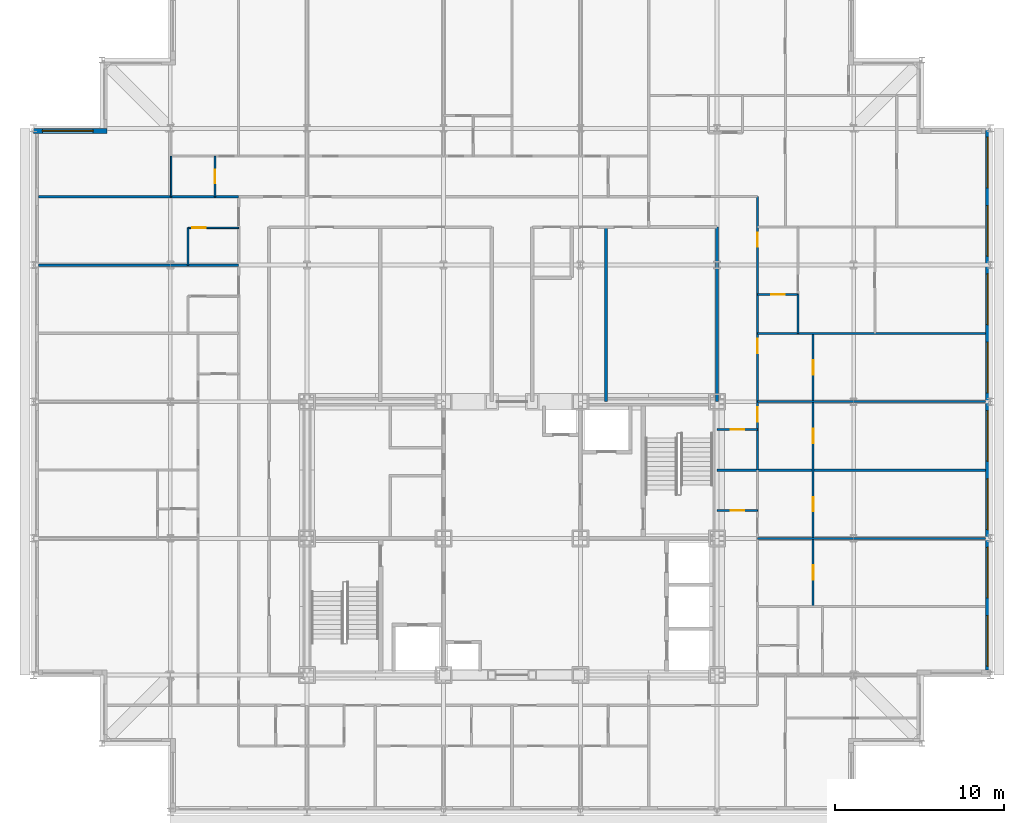
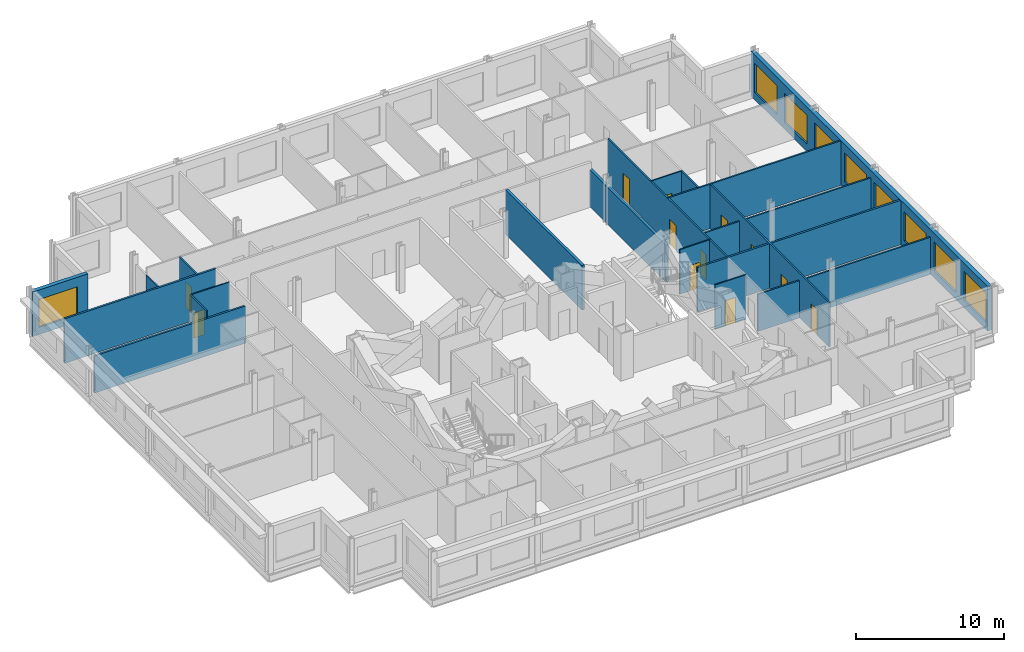
# One storey, part 11 of 15: 20 walls, 12 doors, 9 windows, 21 openings.
"""IFC4 building model written with IfcOpenShell, lengths in metres."""

from ifc_helpers import new_model, si_unit, direction, frame, frame_2d, origin, place, context, subcontext, project, spatial, rectangle, extrude, material, layer, layer_set, type_object, element, fill, save


model = new_model("IFC4")

# Units and contexts
model_context = context("Model", 3, precision=1e-05, world=origin(), true_north=direction((0.0, 1.0)))
body_context = subcontext(model_context, "Body", "Model", "MODEL_VIEW")
ifc_project = project(units=[si_unit("LENGTHUNIT", "METRE"), si_unit("AREAUNIT", "SQUARE_METRE"), si_unit("VOLUMEUNIT", "CUBIC_METRE"), si_unit("PLANEANGLEUNIT", "RADIAN"), si_unit("MASSUNIT", "GRAM", prefix="KILO")], contexts=[model_context])

# Site, building, storey
site_placement = place(None, origin())
site = spatial("IfcSite", under=ifc_project, at=site_placement, CompositionType="ELEMENT")
building_placement = place(site_placement, origin())
building = spatial("IfcBuilding", under=site, at=building_placement, Name="Kopane Lantern Tower", CompositionType="ELEMENT")
storey_placement = place(building_placement, frame((0.0, 0.0, 254.10009765625)))
storey = spatial("IfcBuildingStorey", under=building, at=storey_placement, Name="L65", CompositionType="ELEMENT", Elevation=254.10009765625)

# Wall
ifc_material_1 = material(Name="Gypsum board on steel studs", Category="steel")
ifc_layer_1 = layer(ifc_material_1, 0.1201171875)
ifc_layer_set_1 = layer_set([ifc_layer_1], Name="APARTMENT INTERNAL WALL 120")
wall_type_1 = type_object("IfcWallType", Name="APARTMENT INTERNAL WALL 120", PredefinedType="PARTITIONING", material=ifc_layer_set_1)
wall_1_placement = place(storey_placement, frame((42.89990234375, 32.39990234375, 0.0), z_axis=(0.0, 0.0, 1.0), x_axis=(1.0, 0.0, 0.0)))
element("IfcWall", 1, at=wall_1_placement, inside=storey, type_object=wall_type_1, Name="Apartment Internal Wall 120 L65", PredefinedType="PARTITIONING", context=body_context, shape_type="SweptSolid", body=[
    extrude(rectangle(XDim=13.5, YDim=0.1201171875, at=frame_2d((6.75, 0.0))), origin(), (0.0, 0.0, 1.0), 3.07763671875),
])

# Wall, openings, doors
wall_2_placement = place(storey_placement, frame((42.89990234375, 52.64990234375, 0.0), z_axis=(0.0, 0.0, 1.0), x_axis=(0.0, -1.0, 0.0)))
wall_2 = element("IfcWall", 2, at=wall_2_placement, inside=storey, type_object=wall_type_1, Name="Apartment Internal Wall 120 L65", PredefinedType="PARTITIONING", context=body_context, shape_type="SweptSolid", body=[
    extrude(rectangle(XDim=16.199951171875, YDim=0.1201171875, at=frame_2d((8.10009765625, 0.0))), origin(), (0.0, 0.0, 1.0), 3.68994140625),
])
opening_1_placement = place(wall_2_placement, frame((2.125, 0.0, 0.0)))
opening_1 = element("IfcOpeningElement", 3, at=opening_1_placement, cuts=wall_2, Name="Opening L65-058", PredefinedType="OPENING", context=body_context, shape_type="SweptSolid", body=[
    extrude(rectangle(XDim=0.85009765625, YDim=2.10009765625, at=frame_2d((0.425048828125, 1.050048828125))), frame((0.0, 0.070068359375, 0.0), z_axis=(0.0, -1.0, 0.0), x_axis=(1.0, 0.0, 0.0)), (0.0, 0.0, 1.0), 0.14013671875),
])
opening_2_placement = place(wall_2_placement, frame((8.425048828125, 0.0, 0.0)))
opening_2 = element("IfcOpeningElement", 4, at=opening_2_placement, cuts=wall_2, Name="Opening L65-059", PredefinedType="OPENING", context=body_context, shape_type="SweptSolid", body=[
    extrude(rectangle(XDim=0.85009765625, YDim=2.10009765625, at=frame_2d((0.425048828125, 1.050048828125))), frame((0.0, 0.070068359375, 0.0), z_axis=(0.0, -1.0, 0.0), x_axis=(1.0, 0.0, 0.0)), (0.0, 0.0, 1.0), 0.14013671875),
])
opening_3_placement = place(wall_2_placement, frame((12.47509765625, 0.0, 0.0)))
opening_3 = element("IfcOpeningElement", 5, at=opening_3_placement, cuts=wall_2, Name="Opening L65-060", PredefinedType="OPENING", context=body_context, shape_type="SweptSolid", body=[
    extrude(rectangle(XDim=0.85009765625, YDim=2.10009765625, at=frame_2d((0.425048828125, 1.050048828125))), frame((0.0, 0.070068359375, 0.0), z_axis=(0.0, -1.0, 0.0), x_axis=(1.0, 0.0, 0.0)), (0.0, 0.0, 1.0), 0.14013671875),
])
ifc_material_2 = material(Name="Timber door set", Category="wood")
door_type_1 = type_object("IfcDoorType", Name="DOOR D4 850x2100", OperationType="SINGLE_SWING_LEFT", PredefinedType="DOOR", material=ifc_material_2)
door_1_placement = place(opening_1_placement, origin())
door_1 = element("IfcDoor", 6, at=door_1_placement, inside=storey, type_object=door_type_1, Name="Door L65-058", OperationType="SINGLE_SWING_LEFT", OverallHeight=2.10009765625, OverallWidth=0.85009765625, PredefinedType="DOOR", context=body_context, shape_type="SweptSolid", body=[
    extrude(rectangle(XDim=0.85009765625, YDim=2.10009765625, at=frame_2d((0.425048828125, 1.050048828125))), frame((0.0, 0.02490234375, 0.0), z_axis=(0.0, -1.0, 0.0), x_axis=(1.0, 0.0, 0.0)), (0.0, 0.0, 1.0), 0.050048828125),
])
fill(opening_1, door_1)
door_2_placement = place(opening_2_placement, origin())
door_2 = element("IfcDoor", 7, at=door_2_placement, inside=storey, type_object=door_type_1, Name="Door L65-059", OperationType="SINGLE_SWING_LEFT", OverallHeight=2.10009765625, OverallWidth=0.85009765625, PredefinedType="DOOR", context=body_context, shape_type="SweptSolid", body=[
    extrude(rectangle(XDim=0.85009765625, YDim=2.10009765625, at=frame_2d((0.425048828125, 1.050048828125))), frame((0.0, 0.02490234375, 0.0), z_axis=(0.0, -1.0, 0.0), x_axis=(1.0, 0.0, 0.0)), (0.0, 0.0, 1.0), 0.050048828125),
])
fill(opening_2, door_2)
door_3_placement = place(opening_3_placement, origin())
door_3 = element("IfcDoor", 8, at=door_3_placement, inside=storey, type_object=door_type_1, Name="Door L65-060", OperationType="SINGLE_SWING_LEFT", OverallHeight=2.10009765625, OverallWidth=0.85009765625, PredefinedType="DOOR", context=body_context, shape_type="SweptSolid", body=[
    extrude(rectangle(XDim=0.85009765625, YDim=2.10009765625, at=frame_2d((0.425048828125, 1.050048828125))), frame((0.0, 0.02490234375, 0.0), z_axis=(0.0, -1.0, 0.0), x_axis=(1.0, 0.0, 0.0)), (0.0, 0.0, 1.0), 0.050048828125),
])
fill(opening_3, door_3)

# Walls
wall_3_placement = place(storey_placement, frame((42.89990234375, 44.550048828125, 0.0), z_axis=(0.0, 0.0, 1.0), x_axis=(1.0, 0.0, 0.0)))
element("IfcWall", 9, at=wall_3_placement, inside=storey, type_object=wall_type_1, Name="Apartment Internal Wall 120 L65", PredefinedType="PARTITIONING", context=body_context, shape_type="SweptSolid", body=[
    extrude(rectangle(XDim=13.5, YDim=0.1201171875, at=frame_2d((6.75, 0.0))), origin(), (0.0, 0.0, 1.0), 3.68994140625),
])
wall_4_placement = place(storey_placement, frame((42.89990234375, 40.5, 0.0), z_axis=(0.0, 0.0, 1.0), x_axis=(1.0, 0.0, 0.0)))
element("IfcWall", 10, at=wall_4_placement, inside=storey, type_object=wall_type_1, Name="Apartment Internal Wall 120 L65", PredefinedType="PARTITIONING", context=body_context, shape_type="SweptSolid", body=[
    extrude(rectangle(XDim=13.5, YDim=0.1201171875, at=frame_2d((6.75, 0.0))), origin(), (0.0, 0.0, 1.0), 3.07763671875),
])

# Wall, openings, doors
wall_5_placement = place(storey_placement, frame((46.199951171875, 28.35009765625, 0.0), z_axis=(0.0, 0.0, 1.0), x_axis=(0.0, 1.0, 0.0)))
wall_5 = element("IfcWall", 11, at=wall_5_placement, inside=storey, type_object=wall_type_1, Name="Apartment Internal Wall 120 L65", PredefinedType="PARTITIONING", context=body_context, shape_type="SweptSolid", body=[
    extrude(rectangle(XDim=16.199951171875, YDim=0.1201171875, at=frame_2d((8.10009765625, 0.0))), origin(), (0.0, 0.0, 1.0), 3.68994140625),
])
opening_4_placement = place(wall_5_placement, frame((1.60009765625, 0.0, 0.0)))
opening_4 = element("IfcOpeningElement", 12, at=opening_4_placement, cuts=wall_5, Name="Opening L65-068", PredefinedType="OPENING", context=body_context, shape_type="SweptSolid", body=[
    extrude(rectangle(XDim=0.85009765625, YDim=2.10009765625, at=frame_2d((0.425048828125, 1.050048828125))), frame((0.0, 0.070068359375, 0.0), z_axis=(0.0, -1.0, 0.0), x_axis=(1.0, 0.0, 0.0)), (0.0, 0.0, 1.0), 0.14013671875),
])
opening_5_placement = place(wall_5_placement, frame((5.64990234375, 0.0, 0.0)))
opening_5 = element("IfcOpeningElement", 13, at=opening_5_placement, cuts=wall_5, Name="Opening L65-069", PredefinedType="OPENING", context=body_context, shape_type="SweptSolid", body=[
    extrude(rectangle(XDim=0.85009765625, YDim=2.10009765625, at=frame_2d((0.425048828125, 1.050048828125))), frame((0.0, 0.070068359375, 0.0), z_axis=(0.0, -1.0, 0.0), x_axis=(1.0, 0.0, 0.0)), (0.0, 0.0, 1.0), 0.14013671875),
])
opening_6_placement = place(wall_5_placement, frame((13.75, 0.0, 0.0)))
opening_6 = element("IfcOpeningElement", 14, at=opening_6_placement, cuts=wall_5, Name="Opening L65-072", PredefinedType="OPENING", context=body_context, shape_type="SweptSolid", body=[
    extrude(rectangle(XDim=0.85009765625, YDim=2.10009765625, at=frame_2d((0.425048828125, 1.050048828125))), frame((0.0, 0.070068359375, 0.0), z_axis=(0.0, -1.0, 0.0), x_axis=(1.0, 0.0, 0.0)), (0.0, 0.0, 1.0), 0.14013671875),
])
opening_7_placement = place(wall_5_placement, frame((9.699951171875, 0.0, 0.0)))
opening_7 = element("IfcOpeningElement", 15, at=opening_7_placement, cuts=wall_5, Name="Opening L65-073", PredefinedType="OPENING", context=body_context, shape_type="SweptSolid", body=[
    extrude(rectangle(XDim=0.85009765625, YDim=2.10009765625, at=frame_2d((0.425048828125, 1.050048828125))), frame((0.0, 0.070068359375, 0.0), z_axis=(0.0, -1.0, 0.0), x_axis=(1.0, 0.0, 0.0)), (0.0, 0.0, 1.0), 0.14013671875),
])
door_4_placement = place(opening_4_placement, origin())
door_4 = element("IfcDoor", 16, at=door_4_placement, inside=storey, type_object=door_type_1, Name="Door L65-068", OperationType="SINGLE_SWING_LEFT", OverallHeight=2.10009765625, OverallWidth=0.85009765625, PredefinedType="DOOR", context=body_context, shape_type="SweptSolid", body=[
    extrude(rectangle(XDim=0.85009765625, YDim=2.10009765625, at=frame_2d((0.425048828125, 1.050048828125))), frame((0.0, 0.02490234375, 0.0), z_axis=(0.0, -1.0, 0.0), x_axis=(1.0, 0.0, 0.0)), (0.0, 0.0, 1.0), 0.050048828125),
])
fill(opening_4, door_4)
door_5_placement = place(opening_5_placement, origin())
door_5 = element("IfcDoor", 17, at=door_5_placement, inside=storey, type_object=door_type_1, Name="Door L65-069", OperationType="SINGLE_SWING_RIGHT", OverallHeight=2.10009765625, OverallWidth=0.85009765625, PredefinedType="DOOR", context=body_context, shape_type="SweptSolid", body=[
    extrude(rectangle(XDim=0.85009765625, YDim=2.10009765625, at=frame_2d((0.425048828125, 1.050048828125))), frame((0.0, 0.02490234375, 0.0), z_axis=(0.0, -1.0, 0.0), x_axis=(1.0, 0.0, 0.0)), (0.0, 0.0, 1.0), 0.050048828125),
])
fill(opening_5, door_5)
door_6_placement = place(opening_6_placement, origin())
door_6 = element("IfcDoor", 18, at=door_6_placement, inside=storey, type_object=door_type_1, Name="Door L65-072", OperationType="SINGLE_SWING_RIGHT", OverallHeight=2.10009765625, OverallWidth=0.85009765625, PredefinedType="DOOR", context=body_context, shape_type="SweptSolid", body=[
    extrude(rectangle(XDim=0.85009765625, YDim=2.10009765625, at=frame_2d((0.425048828125, 1.050048828125))), frame((0.0, 0.02490234375, 0.0), z_axis=(0.0, -1.0, 0.0), x_axis=(1.0, 0.0, 0.0)), (0.0, 0.0, 1.0), 0.050048828125),
])
fill(opening_6, door_6)
door_7_placement = place(opening_7_placement, origin())
door_7 = element("IfcDoor", 19, at=door_7_placement, inside=storey, type_object=door_type_1, Name="Door L65-073", OperationType="SINGLE_SWING_LEFT", OverallHeight=2.10009765625, OverallWidth=0.85009765625, PredefinedType="DOOR", context=body_context, shape_type="SweptSolid", body=[
    extrude(rectangle(XDim=0.85009765625, YDim=2.10009765625, at=frame_2d((0.425048828125, 1.050048828125))), frame((0.0, 0.02490234375, 0.0), z_axis=(0.0, -1.0, 0.0), x_axis=(1.0, 0.0, 0.0)), (0.0, 0.0, 1.0), 0.050048828125),
])
fill(opening_7, door_7)

# Wall
ifc_material_3 = material(Name="Moisture-resistant board on steel studs", Category="steel")
ifc_layer_2 = layer(ifc_material_3, 0.10009765625)
ifc_layer_set_2 = layer_set([ifc_layer_2], Name="BATHROOM WALL 100")
wall_type_2 = type_object("IfcWallType", Name="BATHROOM WALL 100", PredefinedType="PARTITIONING", material=ifc_layer_set_2)
wall_6_placement = place(storey_placement, frame((9.14990234375, 48.60009765625, 0.0), z_axis=(0.0, 0.0, 1.0), x_axis=(0.0, 1.0, 0.0)))
element("IfcWall", 20, at=wall_6_placement, inside=storey, type_object=wall_type_2, Name="Bathroom Wall 100 L65", PredefinedType="PARTITIONING", context=body_context, shape_type="SweptSolid", body=[
    extrude(rectangle(XDim=2.199951171875, YDim=0.10009765625, at=frame_2d((1.10009765625, 0.0))), origin(), (0.0, 0.0, 1.0), 3.68994140625),
])

# Wall, opening, door
wall_7_placement = place(storey_placement, frame((12.14990234375, 50.800048828125, 0.0), z_axis=(0.0, 0.0, 1.0), x_axis=(-1.0, 0.0, 0.0)))
wall_7 = element("IfcWall", 21, at=wall_7_placement, inside=storey, type_object=wall_type_2, Name="Bathroom Wall 100 L65", PredefinedType="PARTITIONING", context=body_context, shape_type="SweptSolid", body=[
    extrude(rectangle(XDim=3.0, YDim=0.10009765625, at=frame_2d((1.5, 0.0))), origin(), (0.0, 0.0, 1.0), 3.68994140625),
])
opening_8_placement = place(wall_7_placement, frame((1.949951171875, 0.0, 0.0)))
opening_8 = element("IfcOpeningElement", 22, at=opening_8_placement, cuts=wall_7, Name="Opening L65-034", PredefinedType="OPENING", context=body_context, shape_type="SweptSolid", body=[
    extrude(rectangle(XDim=0.800048828125, YDim=2.10009765625, at=frame_2d((0.39990234375, 1.050048828125))), frame((0.0, 0.06005859375, 0.0), z_axis=(0.0, -1.0, 0.0), x_axis=(1.0, 0.0, 0.0)), (0.0, 0.0, 1.0), 0.1201171875),
])
ifc_material_4 = material(Name="Timber door set", Category="wood")
door_type_2 = type_object("IfcDoorType", Name="DOOR D2 800x2100", OperationType="SINGLE_SWING_LEFT", PredefinedType="DOOR", material=ifc_material_4)
door_8_placement = place(opening_8_placement, origin())
door_8 = element("IfcDoor", 23, at=door_8_placement, inside=storey, type_object=door_type_2, Name="Door L65-034", OperationType="SINGLE_SWING_RIGHT", OverallHeight=2.10009765625, OverallWidth=0.800048828125, PredefinedType="DOOR", context=body_context, shape_type="SweptSolid", body=[
    extrude(rectangle(XDim=0.800048828125, YDim=2.10009765625, at=frame_2d((0.39990234375, 1.050048828125))), frame((0.0, 0.02490234375, 0.0), z_axis=(0.0, -1.0, 0.0), x_axis=(1.0, 0.0, 0.0)), (0.0, 0.0, 1.0), 0.050048828125),
])
fill(opening_8, door_8)

wall_8_placement = place(storey_placement, frame((10.75, 52.64990234375, 0.0), z_axis=(0.0, 0.0, 1.0), x_axis=(0.0, 1.0, 0.0)))
wall_8 = element("IfcWall", 24, at=wall_8_placement, inside=storey, type_object=wall_type_2, Name="Bathroom Wall 100 L65", PredefinedType="PARTITIONING", context=body_context, shape_type="SweptSolid", body=[
    extrude(rectangle(XDim=2.400146484375, YDim=0.10009765625, at=frame_2d((1.2001953125, 0.0))), origin(), (0.0, 0.0, 1.0), 3.68994140625),
])
opening_9_placement = place(wall_8_placement, frame((0.800048828125, 0.0, 0.0)))
opening_9 = element("IfcOpeningElement", 25, at=opening_9_placement, cuts=wall_8, Name="Opening L65-041", PredefinedType="OPENING", context=body_context, shape_type="SweptSolid", body=[
    extrude(rectangle(XDim=0.800048828125, YDim=2.10009765625, at=frame_2d((0.39990234375, 1.050048828125))), frame((0.0, 0.06005859375, 0.0), z_axis=(0.0, -1.0, 0.0), x_axis=(1.0, 0.0, 0.0)), (0.0, 0.0, 1.0), 0.1201171875),
])
door_9_placement = place(opening_9_placement, origin())
door_9 = element("IfcDoor", 26, at=door_9_placement, inside=storey, type_object=door_type_2, Name="Door L65-041", OperationType="SINGLE_SWING_LEFT", OverallHeight=2.10009765625, OverallWidth=0.800048828125, PredefinedType="DOOR", context=body_context, shape_type="SweptSolid", body=[
    extrude(rectangle(XDim=0.800048828125, YDim=2.10009765625, at=frame_2d((0.39990234375, 1.050048828125))), frame((0.0, 0.02490234375, 0.0), z_axis=(0.0, -1.0, 0.0), x_axis=(1.0, 0.0, 0.0)), (0.0, 0.0, 1.0), 0.050048828125),
])
fill(opening_9, door_9)

# Wall
wall_9_placement = place(storey_placement, frame((8.14990234375, 52.64990234375, 0.0), z_axis=(0.0, 0.0, 1.0), x_axis=(0.0, 1.0, 0.0)))
element("IfcWall", 27, at=wall_9_placement, inside=storey, type_object=wall_type_2, Name="Bathroom Wall 100 L65", PredefinedType="PARTITIONING", context=body_context, shape_type="SweptSolid", body=[
    extrude(rectangle(XDim=2.400146484375, YDim=0.10009765625, at=frame_2d((1.2001953125, 0.0))), origin(), (0.0, 0.0, 1.0), 3.07763671875),
])

# Wall, opening, door
wall_10_placement = place(storey_placement, frame((40.5, 34.050048828125, 0.0), z_axis=(0.0, 0.0, 1.0), x_axis=(1.0, 0.0, 0.0)))
wall_10 = element("IfcWall", 28, at=wall_10_placement, inside=storey, type_object=wall_type_2, Name="Bathroom Wall 100 L65", PredefinedType="PARTITIONING", context=body_context, shape_type="SweptSolid", body=[
    extrude(rectangle(XDim=2.39990234375, YDim=0.10009765625, at=frame_2d((1.199951171875, 0.0))), origin(), (0.0, 0.0, 1.0), 3.68994140625),
])
opening_10_placement = place(wall_10_placement, frame((0.800048828125, 0.0, 0.0)))
opening_10 = element("IfcOpeningElement", 29, at=opening_10_placement, cuts=wall_10, Name="Opening L65-044", PredefinedType="OPENING", context=body_context, shape_type="SweptSolid", body=[
    extrude(rectangle(XDim=0.800048828125, YDim=2.10009765625, at=frame_2d((0.39990234375, 1.050048828125))), frame((0.0, 0.06005859375, 0.0), z_axis=(0.0, -1.0, 0.0), x_axis=(1.0, 0.0, 0.0)), (0.0, 0.0, 1.0), 0.1201171875),
])
door_10_placement = place(opening_10_placement, origin())
door_10 = element("IfcDoor", 30, at=door_10_placement, inside=storey, type_object=door_type_2, Name="Door L65-044", OperationType="SINGLE_SWING_LEFT", OverallHeight=2.10009765625, OverallWidth=0.800048828125, PredefinedType="DOOR", context=body_context, shape_type="SweptSolid", body=[
    extrude(rectangle(XDim=0.800048828125, YDim=2.10009765625, at=frame_2d((0.39990234375, 1.050048828125))), frame((0.0, 0.02490234375, 0.0), z_axis=(0.0, -1.0, 0.0), x_axis=(1.0, 0.0, 0.0)), (0.0, 0.0, 1.0), 0.050048828125),
])
fill(opening_10, door_10)

wall_11_placement = place(storey_placement, frame((40.5, 38.85009765625, 0.0), z_axis=(0.0, 0.0, 1.0), x_axis=(1.0, 0.0, 0.0)))
wall_11 = element("IfcWall", 31, at=wall_11_placement, inside=storey, type_object=wall_type_2, Name="Bathroom Wall 100 L65", PredefinedType="PARTITIONING", context=body_context, shape_type="SweptSolid", body=[
    extrude(rectangle(XDim=2.39990234375, YDim=0.10009765625, at=frame_2d((1.199951171875, 0.0))), origin(), (0.0, 0.0, 1.0), 3.68994140625),
])
opening_11_placement = place(wall_11_placement, frame((0.800048828125, 0.0, 0.0)))
opening_11 = element("IfcOpeningElement", 32, at=opening_11_placement, cuts=wall_11, Name="Opening L65-052", PredefinedType="OPENING", context=body_context, shape_type="SweptSolid", body=[
    extrude(rectangle(XDim=0.800048828125, YDim=2.10009765625, at=frame_2d((0.39990234375, 1.050048828125))), frame((0.0, 0.06005859375, 0.0), z_axis=(0.0, -1.0, 0.0), x_axis=(1.0, 0.0, 0.0)), (0.0, 0.0, 1.0), 0.1201171875),
])
door_11_placement = place(opening_11_placement, origin())
door_11 = element("IfcDoor", 33, at=door_11_placement, inside=storey, type_object=door_type_2, Name="Door L65-052", OperationType="SINGLE_SWING_RIGHT", OverallHeight=2.10009765625, OverallWidth=0.800048828125, PredefinedType="DOOR", context=body_context, shape_type="SweptSolid", body=[
    extrude(rectangle(XDim=0.800048828125, YDim=2.10009765625, at=frame_2d((0.39990234375, 1.050048828125))), frame((0.0, 0.02490234375, 0.0), z_axis=(0.0, -1.0, 0.0), x_axis=(1.0, 0.0, 0.0)), (0.0, 0.0, 1.0), 0.050048828125),
])
fill(opening_11, door_11)

wall_12_placement = place(storey_placement, frame((42.89990234375, 46.85009765625, 0.0), z_axis=(0.0, 0.0, 1.0), x_axis=(1.0, 0.0, 0.0)))
wall_12 = element("IfcWall", 34, at=wall_12_placement, inside=storey, type_object=wall_type_2, Name="Bathroom Wall 100 L65", PredefinedType="PARTITIONING", context=body_context, shape_type="SweptSolid", body=[
    extrude(rectangle(XDim=2.400146484375, YDim=0.10009765625, at=frame_2d((1.2001953125, 0.0))), origin(), (0.0, 0.0, 1.0), 3.68994140625),
])
opening_12_placement = place(wall_12_placement, frame((0.800048828125, 0.0, 0.0)))
opening_12 = element("IfcOpeningElement", 35, at=opening_12_placement, cuts=wall_12, Name="Opening L65-057", PredefinedType="OPENING", context=body_context, shape_type="SweptSolid", body=[
    extrude(rectangle(XDim=0.800048828125, YDim=2.10009765625, at=frame_2d((0.39990234375, 1.050048828125))), frame((0.0, 0.06005859375, 0.0), z_axis=(0.0, -1.0, 0.0), x_axis=(1.0, 0.0, 0.0)), (0.0, 0.0, 1.0), 0.1201171875),
])
door_12_placement = place(opening_12_placement, origin())
door_12 = element("IfcDoor", 36, at=door_12_placement, inside=storey, type_object=door_type_2, Name="Door L65-057", OperationType="SINGLE_SWING_LEFT", OverallHeight=2.10009765625, OverallWidth=0.800048828125, PredefinedType="DOOR", context=body_context, shape_type="SweptSolid", body=[
    extrude(rectangle(XDim=0.800048828125, YDim=2.10009765625, at=frame_2d((0.39990234375, 1.050048828125))), frame((0.0, 0.02490234375, 0.0), z_axis=(0.0, -1.0, 0.0), x_axis=(1.0, 0.0, 0.0)), (0.0, 0.0, 1.0), 0.050048828125),
])
fill(opening_12, door_12)

# Walls
wall_13_placement = place(storey_placement, frame((45.300048828125, 46.85009765625, 0.0), z_axis=(0.0, 0.0, 1.0), x_axis=(0.0, -1.0, 0.0)))
element("IfcWall", 37, at=wall_13_placement, inside=storey, type_object=wall_type_2, Name="Bathroom Wall 100 L65", PredefinedType="PARTITIONING", context=body_context, shape_type="SweptSolid", body=[
    extrude(rectangle(XDim=2.300048828125, YDim=0.10009765625, at=frame_2d((1.14990234375, 0.0))), origin(), (0.0, 0.0, 1.0), 3.68994140625),
])
ifc_material_5 = material(Name="Gypsum board on steel studs", Category="steel")
ifc_layer_3 = layer(ifc_material_5, 0.14990234375)
ifc_layer_set_3 = layer_set([ifc_layer_3], Name="DEMISING WALL 150 EI 60")
wall_type_3 = type_object("IfcWallType", Name="DEMISING WALL 150 EI 60", PredefinedType="PARTITIONING", material=ifc_layer_set_3)
wall_14_placement = place(storey_placement, frame((12.14990234375, 48.60009765625, 0.0), z_axis=(0.0, 0.0, 1.0), x_axis=(-1.0, 0.0, 0.0)))
element("IfcWall", 38, at=wall_14_placement, inside=storey, type_object=wall_type_3, Name="Demising Wall 150 Ei 60 L65", PredefinedType="PARTITIONING", context=body_context, shape_type="SweptSolid", body=[
    extrude(rectangle(XDim=11.849853515625, YDim=0.14990234375, at=frame_2d((5.9248046875, 0.0))), origin(), (0.0, 0.0, 1.0), 3.07763671875),
])
wall_15_placement = place(storey_placement, frame((0.300048828125, 52.64990234375, 0.0), z_axis=(0.0, 0.0, 1.0), x_axis=(1.0, 0.0, 0.0)))
element("IfcWall", 39, at=wall_15_placement, inside=storey, type_object=wall_type_3, Name="Demising Wall 150 Ei 60 L65", PredefinedType="PARTITIONING", context=body_context, shape_type="SweptSolid", body=[
    extrude(rectangle(XDim=11.849853515625, YDim=0.14990234375, at=frame_2d((5.9248046875, 0.0))), origin(), (0.0, 0.0, 1.0), 3.68994140625),
])
wall_16_placement = place(storey_placement, frame((40.5, 36.449951171875, 0.0), z_axis=(0.0, 0.0, 1.0), x_axis=(1.0, 0.0, 0.0)))
element("IfcWall", 40, at=wall_16_placement, inside=storey, type_object=wall_type_3, Name="Demising Wall 150 Ei 60 L65", PredefinedType="PARTITIONING", context=body_context, shape_type="SweptSolid", body=[
    extrude(rectangle(XDim=15.89990234375, YDim=0.14990234375, at=frame_2d((7.949951171875, 0.0))), origin(), (0.0, 0.0, 1.0), 3.68994140625),
])

# Wall, openings, windows
ifc_material_6 = material(Name="Terracotta rainscreen on light steel framing", Category="masonry")
ifc_layer_4 = layer(ifc_material_6, 0.300048828125)
ifc_layer_set_4 = layer_set([ifc_layer_4], Name="EXTERNAL WALL EW1 300 TERRACOTTA")
wall_type_4 = type_object("IfcWallType", Name="EXTERNAL WALL EW1 300 TERRACOTTA", PredefinedType="SOLIDWALL", material=ifc_layer_set_4)
wall_17_placement = place(storey_placement, frame((56.550048828125, 24.60009765625, 0.0), z_axis=(0.0, 0.0, 1.0), x_axis=(0.0, 1.0, 0.0)))
wall_17 = element("IfcWall", 41, at=wall_17_placement, inside=storey, type_object=wall_type_4, Name="External wall E L65", PredefinedType="SOLIDWALL", context=body_context, shape_type="SweptSolid", body=[
    extrude(rectangle(XDim=32.099853515625, YDim=0.300048828125, at=frame_2d((16.0498046875, 0.0))), origin(), (0.0, 0.0, 1.0), 3.68994140625),
])
opening_13_placement = place(wall_17_placement, frame((0.22509765625, 0.0, 0.60009765625)))
opening_13 = element("IfcOpeningElement", 42, at=opening_13_placement, cuts=wall_17, Name="Opening WR300240", PredefinedType="OPENING", context=body_context, shape_type="SweptSolid", body=[
    extrude(rectangle(XDim=3.0, YDim=2.39990234375, at=frame_2d((1.5, 1.199951171875))), frame((0.0, 0.159912109375, 0.0), z_axis=(0.0, -1.0, 0.0), x_axis=(1.0, 0.0, 0.0)), (0.0, 0.0, 1.0), 0.320068359375),
])
opening_14_placement = place(wall_17_placement, frame((4.27490234375, 0.0, 0.60009765625)))
opening_14 = element("IfcOpeningElement", 43, at=opening_14_placement, cuts=wall_17, Name="Opening WR300240", PredefinedType="OPENING", context=body_context, shape_type="SweptSolid", body=[
    extrude(rectangle(XDim=3.0, YDim=2.39990234375, at=frame_2d((1.5, 1.199951171875))), frame((0.0, 0.159912109375, 0.0), z_axis=(0.0, -1.0, 0.0), x_axis=(1.0, 0.0, 0.0)), (0.0, 0.0, 1.0), 0.320068359375),
])
opening_15_placement = place(wall_17_placement, frame((8.324951171875, 0.0, 0.60009765625)))
opening_15 = element("IfcOpeningElement", 44, at=opening_15_placement, cuts=wall_17, Name="Opening WR300240", PredefinedType="OPENING", context=body_context, shape_type="SweptSolid", body=[
    extrude(rectangle(XDim=3.0, YDim=2.39990234375, at=frame_2d((1.5, 1.199951171875))), frame((0.0, 0.159912109375, 0.0), z_axis=(0.0, -1.0, 0.0), x_axis=(1.0, 0.0, 0.0)), (0.0, 0.0, 1.0), 0.320068359375),
])
opening_16_placement = place(wall_17_placement, frame((12.375, 0.0, 0.60009765625)))
opening_16 = element("IfcOpeningElement", 45, at=opening_16_placement, cuts=wall_17, Name="Opening WR300240", PredefinedType="OPENING", context=body_context, shape_type="SweptSolid", body=[
    extrude(rectangle(XDim=3.0, YDim=2.39990234375, at=frame_2d((1.5, 1.199951171875))), frame((0.0, 0.159912109375, 0.0), z_axis=(0.0, -1.0, 0.0), x_axis=(1.0, 0.0, 0.0)), (0.0, 0.0, 1.0), 0.320068359375),
])
opening_17_placement = place(wall_17_placement, frame((16.425048828125, 0.0, 0.60009765625)))
opening_17 = element("IfcOpeningElement", 46, at=opening_17_placement, cuts=wall_17, Name="Opening WR300240", PredefinedType="OPENING", context=body_context, shape_type="SweptSolid", body=[
    extrude(rectangle(XDim=3.0, YDim=2.39990234375, at=frame_2d((1.5, 1.199951171875))), frame((0.0, 0.159912109375, 0.0), z_axis=(0.0, -1.0, 0.0), x_axis=(1.0, 0.0, 0.0)), (0.0, 0.0, 1.0), 0.320068359375),
])
opening_18_placement = place(wall_17_placement, frame((20.47509765625, 0.0, 0.60009765625)))
opening_18 = element("IfcOpeningElement", 47, at=opening_18_placement, cuts=wall_17, Name="Opening WR300240", PredefinedType="OPENING", context=body_context, shape_type="SweptSolid", body=[
    extrude(rectangle(XDim=3.0, YDim=2.39990234375, at=frame_2d((1.5, 1.199951171875))), frame((0.0, 0.159912109375, 0.0), z_axis=(0.0, -1.0, 0.0), x_axis=(1.0, 0.0, 0.0)), (0.0, 0.0, 1.0), 0.320068359375),
])
opening_19_placement = place(wall_17_placement, frame((24.52490234375, 0.0, 0.60009765625)))
opening_19 = element("IfcOpeningElement", 48, at=opening_19_placement, cuts=wall_17, Name="Opening WR300240", PredefinedType="OPENING", context=body_context, shape_type="SweptSolid", body=[
    extrude(rectangle(XDim=3.0, YDim=2.39990234375, at=frame_2d((1.5, 1.199951171875))), frame((0.0, 0.159912109375, 0.0), z_axis=(0.0, -1.0, 0.0), x_axis=(1.0, 0.0, 0.0)), (0.0, 0.0, 1.0), 0.320068359375),
])
opening_20_placement = place(wall_17_placement, frame((28.574951171875, 0.0, 0.60009765625)))
opening_20 = element("IfcOpeningElement", 49, at=opening_20_placement, cuts=wall_17, Name="Opening WR300240", PredefinedType="OPENING", context=body_context, shape_type="SweptSolid", body=[
    extrude(rectangle(XDim=3.0, YDim=2.39990234375, at=frame_2d((1.5, 1.199951171875))), frame((0.0, 0.159912109375, 0.0), z_axis=(0.0, -1.0, 0.0), x_axis=(1.0, 0.0, 0.0)), (0.0, 0.0, 1.0), 0.320068359375),
])
ifc_material_7 = material(Name="Aluminium and clear glass", Category="aluminium")
window_type_1 = type_object("IfcWindowType", Name="RIBBON WINDOW WR300240 3000x2400", PartitioningType="SINGLE_PANEL", PredefinedType="WINDOW", material=ifc_material_7)
window_1_placement = place(opening_13_placement, origin())
window_1 = element("IfcWindow", 50, at=window_1_placement, inside=storey, type_object=window_type_1, Name="Window E L65", OverallHeight=2.39990234375, OverallWidth=3.0, PartitioningType="SINGLE_PANEL", PredefinedType="WINDOW", context=body_context, shape_type="SweptSolid", body=[
    extrude(rectangle(XDim=3.0, YDim=2.39990234375, at=frame_2d((1.5, 1.199951171875))), frame((0.0, 0.030029296875, 0.0), z_axis=(0.0, -1.0, 0.0), x_axis=(1.0, 0.0, 0.0)), (0.0, 0.0, 1.0), 0.06005859375),
])
fill(opening_13, window_1)
window_2_placement = place(opening_14_placement, origin())
window_2 = element("IfcWindow", 51, at=window_2_placement, inside=storey, type_object=window_type_1, Name="Window E L65", OverallHeight=2.39990234375, OverallWidth=3.0, PartitioningType="SINGLE_PANEL", PredefinedType="WINDOW", context=body_context, shape_type="SweptSolid", body=[
    extrude(rectangle(XDim=3.0, YDim=2.39990234375, at=frame_2d((1.5, 1.199951171875))), frame((0.0, 0.030029296875, 0.0), z_axis=(0.0, -1.0, 0.0), x_axis=(1.0, 0.0, 0.0)), (0.0, 0.0, 1.0), 0.06005859375),
])
fill(opening_14, window_2)
window_3_placement = place(opening_15_placement, origin())
window_3 = element("IfcWindow", 52, at=window_3_placement, inside=storey, type_object=window_type_1, Name="Window E L65", OverallHeight=2.39990234375, OverallWidth=3.0, PartitioningType="SINGLE_PANEL", PredefinedType="WINDOW", context=body_context, shape_type="SweptSolid", body=[
    extrude(rectangle(XDim=3.0, YDim=2.39990234375, at=frame_2d((1.5, 1.199951171875))), frame((0.0, 0.030029296875, 0.0), z_axis=(0.0, -1.0, 0.0), x_axis=(1.0, 0.0, 0.0)), (0.0, 0.0, 1.0), 0.06005859375),
])
fill(opening_15, window_3)
window_4_placement = place(opening_16_placement, origin())
window_4 = element("IfcWindow", 53, at=window_4_placement, inside=storey, type_object=window_type_1, Name="Window E L65", OverallHeight=2.39990234375, OverallWidth=3.0, PartitioningType="SINGLE_PANEL", PredefinedType="WINDOW", context=body_context, shape_type="SweptSolid", body=[
    extrude(rectangle(XDim=3.0, YDim=2.39990234375, at=frame_2d((1.5, 1.199951171875))), frame((0.0, 0.030029296875, 0.0), z_axis=(0.0, -1.0, 0.0), x_axis=(1.0, 0.0, 0.0)), (0.0, 0.0, 1.0), 0.06005859375),
])
fill(opening_16, window_4)
window_5_placement = place(opening_17_placement, origin())
window_5 = element("IfcWindow", 54, at=window_5_placement, inside=storey, type_object=window_type_1, Name="Window E L65", OverallHeight=2.39990234375, OverallWidth=3.0, PartitioningType="SINGLE_PANEL", PredefinedType="WINDOW", context=body_context, shape_type="SweptSolid", body=[
    extrude(rectangle(XDim=3.0, YDim=2.39990234375, at=frame_2d((1.5, 1.199951171875))), frame((0.0, 0.030029296875, 0.0), z_axis=(0.0, -1.0, 0.0), x_axis=(1.0, 0.0, 0.0)), (0.0, 0.0, 1.0), 0.06005859375),
])
fill(opening_17, window_5)
window_6_placement = place(opening_18_placement, origin())
window_6 = element("IfcWindow", 55, at=window_6_placement, inside=storey, type_object=window_type_1, Name="Window E L65", OverallHeight=2.39990234375, OverallWidth=3.0, PartitioningType="SINGLE_PANEL", PredefinedType="WINDOW", context=body_context, shape_type="SweptSolid", body=[
    extrude(rectangle(XDim=3.0, YDim=2.39990234375, at=frame_2d((1.5, 1.199951171875))), frame((0.0, 0.030029296875, 0.0), z_axis=(0.0, -1.0, 0.0), x_axis=(1.0, 0.0, 0.0)), (0.0, 0.0, 1.0), 0.06005859375),
])
fill(opening_18, window_6)
window_7_placement = place(opening_19_placement, origin())
window_7 = element("IfcWindow", 56, at=window_7_placement, inside=storey, type_object=window_type_1, Name="Window E L65", OverallHeight=2.39990234375, OverallWidth=3.0, PartitioningType="SINGLE_PANEL", PredefinedType="WINDOW", context=body_context, shape_type="SweptSolid", body=[
    extrude(rectangle(XDim=3.0, YDim=2.39990234375, at=frame_2d((1.5, 1.199951171875))), frame((0.0, 0.030029296875, 0.0), z_axis=(0.0, -1.0, 0.0), x_axis=(1.0, 0.0, 0.0)), (0.0, 0.0, 1.0), 0.06005859375),
])
fill(opening_19, window_7)
window_8_placement = place(opening_20_placement, origin())
window_8 = element("IfcWindow", 57, at=window_8_placement, inside=storey, type_object=window_type_1, Name="Window E L65", OverallHeight=2.39990234375, OverallWidth=3.0, PartitioningType="SINGLE_PANEL", PredefinedType="WINDOW", context=body_context, shape_type="SweptSolid", body=[
    extrude(rectangle(XDim=3.0, YDim=2.39990234375, at=frame_2d((1.5, 1.199951171875))), frame((0.0, 0.030029296875, 0.0), z_axis=(0.0, -1.0, 0.0), x_axis=(1.0, 0.0, 0.0)), (0.0, 0.0, 1.0), 0.06005859375),
])
fill(opening_20, window_8)

# Wall, opening, window
wall_18_placement = place(storey_placement, frame((4.35009765625, 56.550048828125, 0.0), z_axis=(0.0, 0.0, 1.0), x_axis=(-1.0, 0.0, 0.0)))
wall_18 = element("IfcWall", 58, at=wall_18_placement, inside=storey, type_object=wall_type_4, Name="External wall N L65", PredefinedType="SOLIDWALL", context=body_context, shape_type="SweptSolid", body=[
    extrude(rectangle(XDim=4.35009765625, YDim=0.300048828125, at=frame_2d((2.175048828125, 0.0))), origin(), (0.0, 0.0, 1.0), 3.68994140625),
])
opening_21_placement = place(wall_18_placement, frame((0.824951171875, 0.0, 0.60009765625)))
opening_21 = element("IfcOpeningElement", 59, at=opening_21_placement, cuts=wall_18, Name="Opening WR300230", PredefinedType="OPENING", context=body_context, shape_type="SweptSolid", body=[
    extrude(rectangle(XDim=3.0, YDim=2.300048828125, at=frame_2d((1.5, 1.14990234375))), frame((0.0, 0.159912109375, 0.0), z_axis=(0.0, -1.0, 0.0), x_axis=(1.0, 0.0, 0.0)), (0.0, 0.0, 1.0), 0.320068359375),
])
ifc_material_8 = material(Name="Aluminium and clear glass", Category="aluminium")
window_type_2 = type_object("IfcWindowType", Name="RIBBON WINDOW WR300230 3000x2300", PartitioningType="SINGLE_PANEL", PredefinedType="WINDOW", material=ifc_material_8)
window_9_placement = place(opening_21_placement, origin())
window_9 = element("IfcWindow", 60, at=window_9_placement, inside=storey, type_object=window_type_2, Name="Window N L65", OverallHeight=2.300048828125, OverallWidth=3.0, PartitioningType="SINGLE_PANEL", PredefinedType="WINDOW", context=body_context, shape_type="SweptSolid", body=[
    extrude(rectangle(XDim=3.0, YDim=2.300048828125, at=frame_2d((1.5, 1.14990234375))), frame((0.0, 0.030029296875, 0.0), z_axis=(0.0, -1.0, 0.0), x_axis=(1.0, 0.0, 0.0)), (0.0, 0.0, 1.0), 0.06005859375),
])
fill(opening_21, window_9)

# Walls
ifc_material_9 = material(Name="Concrete masonry", Category="masonry")
ifc_layer_5 = layer(ifc_material_9, 0.199951171875)
ifc_layer_set_5 = layer_set([ifc_layer_5], Name="PLANT ROOM WALL 200 EI 120")
wall_type_5 = type_object("IfcWallType", Name="PLANT ROOM WALL 200 EI 120", PredefinedType="SOLIDWALL", material=ifc_layer_set_5)
wall_19_placement = place(storey_placement, frame((33.916748046875, 50.85009765625, 0.0), z_axis=(0.0, 0.0, 1.0), x_axis=(0.0, -1.0, 0.0)))
element("IfcWall", 61, at=wall_19_placement, inside=storey, type_object=wall_type_5, Name="Plant Room Wall 200 Ei 120 L65", PredefinedType="SOLIDWALL", context=body_context, shape_type="SweptSolid", body=[
    extrude(rectangle(XDim=10.35009765625, YDim=0.199951171875, at=frame_2d((5.175048828125, 0.0))), origin(), (0.0, 0.0, 1.0), 3.68994140625),
])
wall_20_placement = place(storey_placement, frame((40.5, 40.5, 0.0), z_axis=(0.0, 0.0, 1.0), x_axis=(0.0, 1.0, 0.0)))
element("IfcWall", 62, at=wall_20_placement, inside=storey, type_object=wall_type_5, Name="Plant Room Wall 200 Ei 120 L65", PredefinedType="SOLIDWALL", context=body_context, shape_type="SweptSolid", body=[
    extrude(rectangle(XDim=10.35009765625, YDim=0.199951171875, at=frame_2d((5.175048828125, 0.0))), origin(), (0.0, 0.0, 1.0), 3.07763671875),
])

save(model, "model.ifc")
